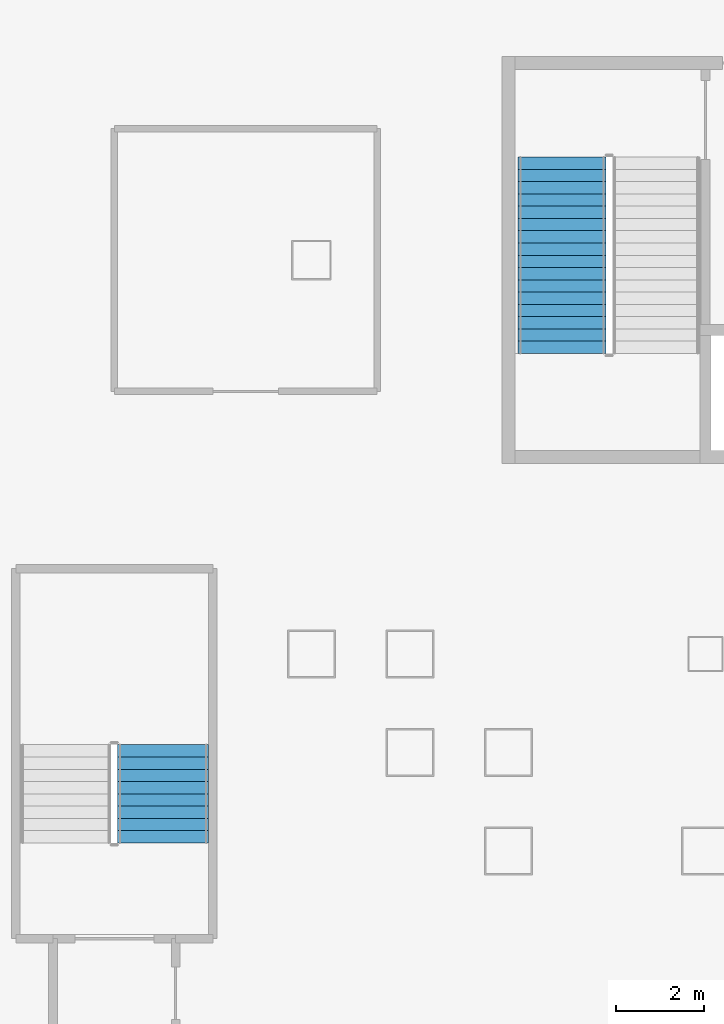
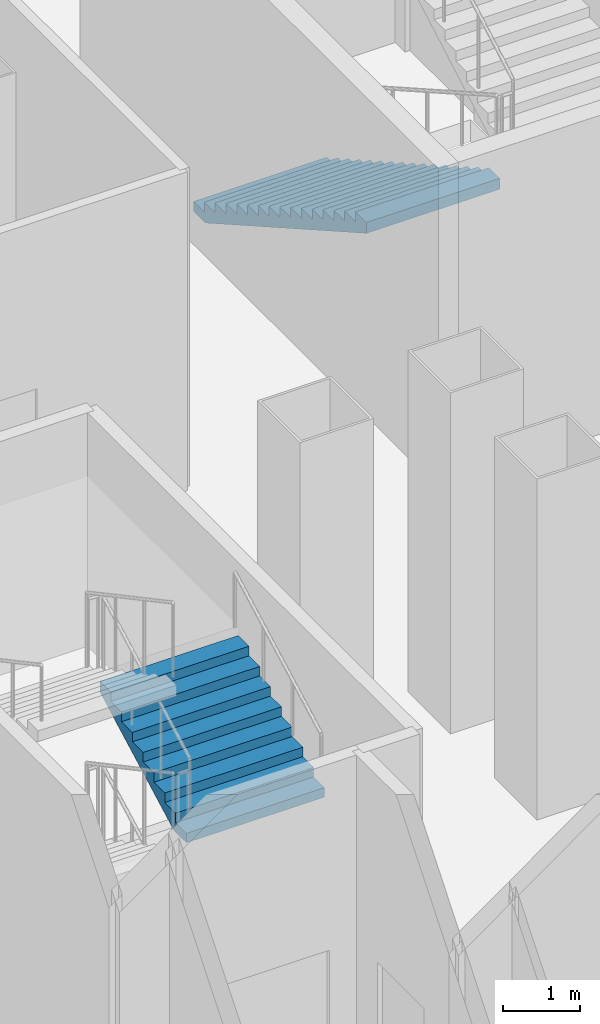
# One storey, part 11 of 27: 2 stair flights, 2 elements without a shape of their own.
"""IFC4 building model written with IfcOpenShell, lengths in metres."""

from ifc_helpers import new_model, si_unit, direction, frame, origin, place, context, subcontext, project, spatial, polygons, material, type_object, element, aggregate, save


model = new_model("IFC4")

# Units and contexts
model_context = context("Model", 3, precision=1e-05, world=origin(), true_north=direction((0.0, 1.0)))
body_context = subcontext(model_context, "Body", "Model", "MODEL_VIEW")
ifc_project = project(units=[si_unit("LENGTHUNIT", "METRE"), si_unit("AREAUNIT", "SQUARE_METRE"), si_unit("VOLUMEUNIT", "CUBIC_METRE"), si_unit("PLANEANGLEUNIT", "RADIAN"), si_unit("MASSUNIT", "GRAM", prefix="KILO")], contexts=[model_context])

# Site, building, storey
site_placement = place(None, origin())
site = spatial("IfcSite", under=ifc_project, at=site_placement, CompositionType="ELEMENT")
building_placement = place(site_placement, origin())
building = spatial("IfcBuilding", under=site, at=building_placement, Name="Caravel Reach Hotel and Residences", CompositionType="ELEMENT")
storey_placement = place(building_placement, frame((0.0, 0.0, 6.60009765625)))
storey = spatial("IfcBuildingStorey", under=building, at=storey_placement, Name="L01", CompositionType="ELEMENT", Elevation=6.60009765625)

# Stair, stair flight
ifc_material_1 = material(Name="Concrete C40", Category="concrete")
stair_type = type_object("IfcStairType", Name="Core stair", PredefinedType="HALF_TURN_STAIR", material=ifc_material_1)
stair_1_placement = place(storey_placement, origin())
stair_1 = element("IfcStair", 1, at=stair_1_placement, inside=storey, type_object=stair_type, Name="L01 Exit stair A", PredefinedType="HALF_TURN_STAIR")
ifc_material_2 = material(Name="Concrete C40", Category="concrete")
stair_flight_type = type_object("IfcStairFlightType", Name="Core stair flight", PredefinedType="STRAIGHT", material=ifc_material_2)
stair_flight_1_placement = place(storey_placement, frame((19.22509765625, 29.35009765625, 0.0), z_axis=(0.0, 0.0, 1.0), x_axis=(0.0, -1.0, 0.0)))
stair_flight_1 = element("IfcStairFlight", 2, at=stair_flight_1_placement, type_object=stair_flight_type, Name="ST-A flight 1", NumberOfRisers=17, NumberOfTreads=16, PredefinedType="STRAIGHT", RiserHeight=0.158823529, TreadLength=0.28, context=body_context, shape_type="Tessellation", body=[
    polygons([(0.30382651472380307, 1.0, 0.0), (0.30382651472380307, 0.6666666666666667, 0.0), (0.30382651472380307, 0.33333333333333337, 0.0), (0.30382651472380307, 0.0, 0.0), (0.30382651472380307, -0.33333333333333326, 0.0), (0.30382651472380307, -0.6666666666666667, 0.0), (0.30382651472380307, -1.0, 0.0), (4.481000000000001, 1.0, 2.3688378951706968), (4.481000000000001, 0.6666666666666667, 2.3688378951706968), (4.481000000000001, 0.33333333333333337, 2.3688378951706968), (4.481000000000001, 0.0, 2.3688378951706968), (4.481000000000001, -0.33333333333333326, 2.3688378951706968), (4.481000000000001, -0.6666666666666667, 2.3688378951706968), (4.481000000000001, -1.0, 2.3688378951706968), (4.481000000000001, 1.0, 2.541176464), (4.481000000000001, 0.6666666666666667, 2.541176464), (4.481000000000001, 0.33333333333333337, 2.541176464), (4.481000000000001, 0.0, 2.541176464), (4.481000000000001, -0.33333333333333326, 2.541176464), (4.481000000000001, -0.6666666666666667, 2.541176464), (4.481000000000001, -1.0, 2.541176464), (4.2, 1.0, 2.541176464), (4.2, 0.6666666666666667, 2.541176464), (4.2, 0.33333333333333337, 2.541176464), (4.2, 0.0, 2.541176464), (4.2, -0.33333333333333326, 2.541176464), (4.2, -0.6666666666666667, 2.541176464), (4.2, -1.0, 2.541176464), (4.2, 1.0, 2.3823529349999997), (4.2, 0.6666666666666667, 2.3823529349999997), (4.2, 0.33333333333333337, 2.3823529349999997), (4.2, 0.0, 2.3823529349999997), (4.2, -0.33333333333333326, 2.3823529349999997), (4.2, -0.6666666666666667, 2.3823529349999997), (4.2, -1.0, 2.3823529349999997), (3.9200000000000004, 1.0, 2.3823529349999997), (3.9200000000000004, 0.6666666666666667, 2.3823529349999997), (3.9200000000000004, 0.33333333333333337, 2.3823529349999997), (3.9200000000000004, 0.0, 2.3823529349999997), (3.9200000000000004, -0.33333333333333326, 2.3823529349999997), (3.9200000000000004, -0.6666666666666667, 2.3823529349999997), (3.9200000000000004, -1.0, 2.3823529349999997), (3.9200000000000004, 1.0, 2.223529406), (3.9200000000000004, 0.6666666666666667, 2.223529406), (3.9200000000000004, 0.33333333333333337, 2.223529406), (3.9200000000000004, 0.0, 2.223529406), (3.9200000000000004, -0.33333333333333326, 2.223529406), (3.9200000000000004, -0.6666666666666667, 2.223529406), (3.9200000000000004, -1.0, 2.223529406), (3.6400000000000006, 1.0, 2.223529406), (3.6400000000000006, 0.6666666666666667, 2.223529406), (3.6400000000000006, 0.33333333333333337, 2.223529406), (3.6400000000000006, 0.0, 2.223529406), (3.6400000000000006, -0.33333333333333326, 2.223529406), (3.6400000000000006, -0.6666666666666667, 2.223529406), (3.6400000000000006, -1.0, 2.223529406), (3.6400000000000006, 1.0, 2.0647058769999997), (3.6400000000000006, 0.6666666666666667, 2.0647058769999997), (3.6400000000000006, 0.33333333333333337, 2.0647058769999997), (3.6400000000000006, 0.0, 2.0647058769999997), (3.6400000000000006, -0.33333333333333326, 2.0647058769999997), (3.6400000000000006, -0.6666666666666667, 2.0647058769999997), (3.6400000000000006, -1.0, 2.0647058769999997), (3.3600000000000003, 1.0, 2.0647058769999997), (3.3600000000000003, 0.6666666666666667, 2.0647058769999997), (3.3600000000000003, 0.33333333333333337, 2.0647058769999997), (3.3600000000000003, 0.0, 2.0647058769999997), (3.3600000000000003, -0.33333333333333326, 2.0647058769999997), (3.3600000000000003, -0.6666666666666667, 2.0647058769999997), (3.3600000000000003, -1.0, 2.0647058769999997), (3.3600000000000003, 1.0, 1.905882348), (3.3600000000000003, 0.6666666666666667, 1.905882348), (3.3600000000000003, 0.33333333333333337, 1.905882348), (3.3600000000000003, 0.0, 1.905882348), (3.3600000000000003, -0.33333333333333326, 1.905882348), (3.3600000000000003, -0.6666666666666667, 1.905882348), (3.3600000000000003, -1.0, 1.905882348), (3.08, 1.0, 1.905882348), (3.08, 0.6666666666666667, 1.905882348), (3.08, 0.33333333333333337, 1.905882348), (3.08, 0.0, 1.905882348), (3.08, -0.33333333333333326, 1.905882348), (3.08, -0.6666666666666667, 1.905882348), (3.08, -1.0, 1.905882348), (3.08, 1.0, 1.7470588189999998), (3.08, 0.6666666666666667, 1.7470588189999998), (3.08, 0.33333333333333337, 1.7470588189999998), (3.08, 0.0, 1.7470588189999998), (3.08, -0.33333333333333326, 1.7470588189999998), (3.08, -0.6666666666666667, 1.7470588189999998), (3.08, -1.0, 1.7470588189999998), (2.8000000000000003, 1.0, 1.7470588189999998), (2.8000000000000003, 0.6666666666666667, 1.7470588189999998), (2.8000000000000003, 0.33333333333333337, 1.7470588189999998), (2.8000000000000003, 0.0, 1.7470588189999998), (2.8000000000000003, -0.33333333333333326, 1.7470588189999998), (2.8000000000000003, -0.6666666666666667, 1.7470588189999998), (2.8000000000000003, -1.0, 1.7470588189999998), (2.8000000000000003, 1.0, 1.5882352899999999), (2.8000000000000003, 0.6666666666666667, 1.5882352899999999), (2.8000000000000003, 0.33333333333333337, 1.5882352899999999), (2.8000000000000003, 0.0, 1.5882352899999999), (2.8000000000000003, -0.33333333333333326, 1.5882352899999999), (2.8000000000000003, -0.6666666666666667, 1.5882352899999999), (2.8000000000000003, -1.0, 1.5882352899999999), (2.5200000000000005, 1.0, 1.5882352899999999), (2.5200000000000005, 0.6666666666666667, 1.5882352899999999), (2.5200000000000005, 0.33333333333333337, 1.5882352899999999), (2.5200000000000005, 0.0, 1.5882352899999999), (2.5200000000000005, -0.33333333333333326, 1.5882352899999999), (2.5200000000000005, -0.6666666666666667, 1.5882352899999999), (2.5200000000000005, -1.0, 1.5882352899999999), (2.5200000000000005, 1.0, 1.429411761), (2.5200000000000005, 0.6666666666666667, 1.429411761), (2.5200000000000005, 0.33333333333333337, 1.429411761), (2.5200000000000005, 0.0, 1.429411761), (2.5200000000000005, -0.33333333333333326, 1.429411761), (2.5200000000000005, -0.6666666666666667, 1.429411761), (2.5200000000000005, -1.0, 1.429411761), (2.24, 1.0, 1.429411761), (2.24, 0.6666666666666667, 1.429411761), (2.24, 0.33333333333333337, 1.429411761), (2.24, 0.0, 1.429411761), (2.24, -0.33333333333333326, 1.429411761), (2.24, -0.6666666666666667, 1.429411761), (2.24, -1.0, 1.429411761), (2.24, 1.0, 1.270588232), (2.24, 0.6666666666666667, 1.270588232), (2.24, 0.33333333333333337, 1.270588232), (2.24, 0.0, 1.270588232), (2.24, -0.33333333333333326, 1.270588232), (2.24, -0.6666666666666667, 1.270588232), (2.24, -1.0, 1.270588232), (1.9600000000000002, 1.0, 1.270588232), (1.9600000000000002, 0.6666666666666667, 1.270588232), (1.9600000000000002, 0.33333333333333337, 1.270588232), (1.9600000000000002, 0.0, 1.270588232), (1.9600000000000002, -0.33333333333333326, 1.270588232), (1.9600000000000002, -0.6666666666666667, 1.270588232), (1.9600000000000002, -1.0, 1.270588232), (1.9600000000000002, 1.0, 1.111764703), (1.9600000000000002, 0.6666666666666667, 1.111764703), (1.9600000000000002, 0.33333333333333337, 1.111764703), (1.9600000000000002, 0.0, 1.111764703), (1.9600000000000002, -0.33333333333333326, 1.111764703), (1.9600000000000002, -0.6666666666666667, 1.111764703), (1.9600000000000002, -1.0, 1.111764703), (1.6800000000000002, 1.0, 1.111764703), (1.6800000000000002, 0.6666666666666667, 1.111764703), (1.6800000000000002, 0.33333333333333337, 1.111764703), (1.6800000000000002, 0.0, 1.111764703), (1.6800000000000002, -0.33333333333333326, 1.111764703), (1.6800000000000002, -0.6666666666666667, 1.111764703), (1.6800000000000002, -1.0, 1.111764703), (1.6800000000000002, 1.0, 0.952941174), (1.6800000000000002, 0.6666666666666667, 0.952941174), (1.6800000000000002, 0.33333333333333337, 0.952941174), (1.6800000000000002, 0.0, 0.952941174), (1.6800000000000002, -0.33333333333333326, 0.952941174), (1.6800000000000002, -0.6666666666666667, 0.952941174), (1.6800000000000002, -1.0, 0.952941174), (1.4000000000000001, 1.0, 0.952941174), (1.4000000000000001, 0.6666666666666667, 0.952941174), (1.4000000000000001, 0.33333333333333337, 0.952941174), (1.4000000000000001, 0.0, 0.952941174), (1.4000000000000001, -0.33333333333333326, 0.952941174), (1.4000000000000001, -0.6666666666666667, 0.952941174), (1.4000000000000001, -1.0, 0.952941174), (1.4000000000000001, 1.0, 0.7941176449999999), (1.4000000000000001, 0.6666666666666667, 0.7941176449999999), (1.4000000000000001, 0.33333333333333337, 0.7941176449999999), (1.4000000000000001, 0.0, 0.7941176449999999), (1.4000000000000001, -0.33333333333333326, 0.7941176449999999), (1.4000000000000001, -0.6666666666666667, 0.7941176449999999), (1.4000000000000001, -1.0, 0.7941176449999999), (1.12, 1.0, 0.7941176449999999), (1.12, 0.6666666666666667, 0.7941176449999999), (1.12, 0.33333333333333337, 0.7941176449999999), (1.12, 0.0, 0.7941176449999999), (1.12, -0.33333333333333326, 0.7941176449999999), (1.12, -0.6666666666666667, 0.7941176449999999), (1.12, -1.0, 0.7941176449999999), (1.12, 1.0, 0.635294116), (1.12, 0.6666666666666667, 0.635294116), (1.12, 0.33333333333333337, 0.635294116), (1.12, 0.0, 0.635294116), (1.12, -0.33333333333333326, 0.635294116), (1.12, -0.6666666666666667, 0.635294116), (1.12, -1.0, 0.635294116), (0.8400000000000001, 1.0, 0.635294116), (0.8400000000000001, 0.6666666666666667, 0.635294116), (0.8400000000000001, 0.33333333333333337, 0.635294116), (0.8400000000000001, 0.0, 0.635294116), (0.8400000000000001, -0.33333333333333326, 0.635294116), (0.8400000000000001, -0.6666666666666667, 0.635294116), (0.8400000000000001, -1.0, 0.635294116), (0.8400000000000001, 1.0, 0.476470587), (0.8400000000000001, 0.6666666666666667, 0.476470587), (0.8400000000000001, 0.33333333333333337, 0.476470587), (0.8400000000000001, 0.0, 0.476470587), (0.8400000000000001, -0.33333333333333326, 0.476470587), (0.8400000000000001, -0.6666666666666667, 0.476470587), (0.8400000000000001, -1.0, 0.476470587), (0.56, 1.0, 0.476470587), (0.56, 0.6666666666666667, 0.476470587), (0.56, 0.33333333333333337, 0.476470587), (0.56, 0.0, 0.476470587), (0.56, -0.33333333333333326, 0.476470587), (0.56, -0.6666666666666667, 0.476470587), (0.56, -1.0, 0.476470587), (0.56, 1.0, 0.317647058), (0.56, 0.6666666666666667, 0.317647058), (0.56, 0.33333333333333337, 0.317647058), (0.56, 0.0, 0.317647058), (0.56, -0.33333333333333326, 0.317647058), (0.56, -0.6666666666666667, 0.317647058), (0.56, -1.0, 0.317647058), (0.28, 1.0, 0.317647058), (0.28, 0.6666666666666667, 0.317647058), (0.28, 0.33333333333333337, 0.317647058), (0.28, 0.0, 0.317647058), (0.28, -0.33333333333333326, 0.317647058), (0.28, -0.6666666666666667, 0.317647058), (0.28, -1.0, 0.317647058), (0.28, 1.0, 0.158823529), (0.28, 0.6666666666666667, 0.158823529), (0.28, 0.33333333333333337, 0.158823529), (0.28, 0.0, 0.158823529), (0.28, -0.33333333333333326, 0.158823529), (0.28, -0.6666666666666667, 0.158823529), (0.28, -1.0, 0.158823529), (-0.001, 1.0, 0.158823529), (-0.001, 0.6666666666666667, 0.158823529), (-0.001, 0.33333333333333337, 0.158823529), (-0.001, 0.0, 0.158823529), (-0.001, -0.33333333333333326, 0.158823529), (-0.001, -0.6666666666666667, 0.158823529), (-0.001, -1.0, 0.158823529), (-0.001, 1.0, 0.0), (-0.001, 0.6666666666666667, 0.0), (-0.001, 0.33333333333333337, 0.0), (-0.001, 0.0, 0.0), (-0.001, -0.33333333333333326, 0.0), (-0.001, -0.6666666666666667, 0.0), (-0.001, -1.0, 0.0)], [[[239, 232, 225, 218, 211, 204, 197, 190, 183, 176, 169, 162, 155, 148, 141, 134, 127, 120, 113, 106, 99, 92, 85, 78, 71, 64, 57, 50, 43, 36, 29, 22, 15, 8, 1]], [[7, 14, 21, 28, 35, 42, 49, 56, 63, 70, 77, 84, 91, 98, 105, 112, 119, 126, 133, 140, 147, 154, 161, 168, 175, 182, 189, 196, 203, 210, 217, 224, 231, 238, 245]], [[1, 8, 9, 2]], [[2, 9, 10, 3]], [[3, 10, 11, 4]], [[4, 11, 12, 5]], [[5, 12, 13, 6]], [[6, 13, 14, 7]], [[8, 15, 16, 9]], [[9, 16, 17, 10]], [[10, 17, 18, 11]], [[11, 18, 19, 12]], [[12, 19, 20, 13]], [[13, 20, 21, 14]], [[15, 22, 23, 16]], [[16, 23, 24, 17]], [[17, 24, 25, 18]], [[18, 25, 26, 19]], [[19, 26, 27, 20]], [[20, 27, 28, 21]], [[22, 29, 30, 23]], [[23, 30, 31, 24]], [[24, 31, 32, 25]], [[25, 32, 33, 26]], [[26, 33, 34, 27]], [[27, 34, 35, 28]], [[29, 36, 37, 30]], [[30, 37, 38, 31]], [[31, 38, 39, 32]], [[32, 39, 40, 33]], [[33, 40, 41, 34]], [[34, 41, 42, 35]], [[36, 43, 44, 37]], [[37, 44, 45, 38]], [[38, 45, 46, 39]], [[39, 46, 47, 40]], [[40, 47, 48, 41]], [[41, 48, 49, 42]], [[43, 50, 51, 44]], [[44, 51, 52, 45]], [[45, 52, 53, 46]], [[46, 53, 54, 47]], [[47, 54, 55, 48]], [[48, 55, 56, 49]], [[50, 57, 58, 51]], [[51, 58, 59, 52]], [[52, 59, 60, 53]], [[53, 60, 61, 54]], [[54, 61, 62, 55]], [[55, 62, 63, 56]], [[57, 64, 65, 58]], [[58, 65, 66, 59]], [[59, 66, 67, 60]], [[60, 67, 68, 61]], [[61, 68, 69, 62]], [[62, 69, 70, 63]], [[64, 71, 72, 65]], [[65, 72, 73, 66]], [[66, 73, 74, 67]], [[67, 74, 75, 68]], [[68, 75, 76, 69]], [[69, 76, 77, 70]], [[71, 78, 79, 72]], [[72, 79, 80, 73]], [[73, 80, 81, 74]], [[74, 81, 82, 75]], [[75, 82, 83, 76]], [[76, 83, 84, 77]], [[78, 85, 86, 79]], [[79, 86, 87, 80]], [[80, 87, 88, 81]], [[81, 88, 89, 82]], [[82, 89, 90, 83]], [[83, 90, 91, 84]], [[85, 92, 93, 86]], [[86, 93, 94, 87]], [[87, 94, 95, 88]], [[88, 95, 96, 89]], [[89, 96, 97, 90]], [[90, 97, 98, 91]], [[92, 99, 100, 93]], [[93, 100, 101, 94]], [[94, 101, 102, 95]], [[95, 102, 103, 96]], [[96, 103, 104, 97]], [[97, 104, 105, 98]], [[99, 106, 107, 100]], [[100, 107, 108, 101]], [[101, 108, 109, 102]], [[102, 109, 110, 103]], [[103, 110, 111, 104]], [[104, 111, 112, 105]], [[106, 113, 114, 107]], [[107, 114, 115, 108]], [[108, 115, 116, 109]], [[109, 116, 117, 110]], [[110, 117, 118, 111]], [[111, 118, 119, 112]], [[113, 120, 121, 114]], [[114, 121, 122, 115]], [[115, 122, 123, 116]], [[116, 123, 124, 117]], [[117, 124, 125, 118]], [[118, 125, 126, 119]], [[120, 127, 128, 121]], [[121, 128, 129, 122]], [[122, 129, 130, 123]], [[123, 130, 131, 124]], [[124, 131, 132, 125]], [[125, 132, 133, 126]], [[127, 134, 135, 128]], [[128, 135, 136, 129]], [[129, 136, 137, 130]], [[130, 137, 138, 131]], [[131, 138, 139, 132]], [[132, 139, 140, 133]], [[134, 141, 142, 135]], [[135, 142, 143, 136]], [[136, 143, 144, 137]], [[137, 144, 145, 138]], [[138, 145, 146, 139]], [[139, 146, 147, 140]], [[141, 148, 149, 142]], [[142, 149, 150, 143]], [[143, 150, 151, 144]], [[144, 151, 152, 145]], [[145, 152, 153, 146]], [[146, 153, 154, 147]], [[148, 155, 156, 149]], [[149, 156, 157, 150]], [[150, 157, 158, 151]], [[151, 158, 159, 152]], [[152, 159, 160, 153]], [[153, 160, 161, 154]], [[155, 162, 163, 156]], [[156, 163, 164, 157]], [[157, 164, 165, 158]], [[158, 165, 166, 159]], [[159, 166, 167, 160]], [[160, 167, 168, 161]], [[162, 169, 170, 163]], [[163, 170, 171, 164]], [[164, 171, 172, 165]], [[165, 172, 173, 166]], [[166, 173, 174, 167]], [[167, 174, 175, 168]], [[169, 176, 177, 170]], [[170, 177, 178, 171]], [[171, 178, 179, 172]], [[172, 179, 180, 173]], [[173, 180, 181, 174]], [[174, 181, 182, 175]], [[176, 183, 184, 177]], [[177, 184, 185, 178]], [[178, 185, 186, 179]], [[179, 186, 187, 180]], [[180, 187, 188, 181]], [[181, 188, 189, 182]], [[183, 190, 191, 184]], [[184, 191, 192, 185]], [[185, 192, 193, 186]], [[186, 193, 194, 187]], [[187, 194, 195, 188]], [[188, 195, 196, 189]], [[190, 197, 198, 191]], [[191, 198, 199, 192]], [[192, 199, 200, 193]], [[193, 200, 201, 194]], [[194, 201, 202, 195]], [[195, 202, 203, 196]], [[197, 204, 205, 198]], [[198, 205, 206, 199]], [[199, 206, 207, 200]], [[200, 207, 208, 201]], [[201, 208, 209, 202]], [[202, 209, 210, 203]], [[204, 211, 212, 205]], [[205, 212, 213, 206]], [[206, 213, 214, 207]], [[207, 214, 215, 208]], [[208, 215, 216, 209]], [[209, 216, 217, 210]], [[211, 218, 219, 212]], [[212, 219, 220, 213]], [[213, 220, 221, 214]], [[214, 221, 222, 215]], [[215, 222, 223, 216]], [[216, 223, 224, 217]], [[218, 225, 226, 219]], [[219, 226, 227, 220]], [[220, 227, 228, 221]], [[221, 228, 229, 222]], [[222, 229, 230, 223]], [[223, 230, 231, 224]], [[225, 232, 233, 226]], [[226, 233, 234, 227]], [[227, 234, 235, 228]], [[228, 235, 236, 229]], [[229, 236, 237, 230]], [[230, 237, 238, 231]], [[232, 239, 240, 233]], [[233, 240, 241, 234]], [[234, 241, 242, 235]], [[235, 242, 243, 236]], [[236, 243, 244, 237]], [[237, 244, 245, 238]], [[239, 1, 2, 240]], [[240, 2, 3, 241]], [[241, 3, 4, 242]], [[242, 4, 5, 243]], [[243, 5, 6, 244]], [[244, 6, 7, 245]]], closed=True),
])
aggregate(stair_1, [stair_flight_1])

stair_2_placement = place(storey_placement, origin())
stair_2 = element("IfcStair", 3, at=stair_2_placement, inside=storey, type_object=stair_type, Name="L01 Exit stair P3", PredefinedType="HALF_TURN_STAIR")
stair_flight_2_placement = place(storey_placement, frame((10.110107421875, 13.68994140625, 2.699951171875), z_axis=(0.0, 0.0, 1.0), x_axis=(0.0, 1.0, 0.0)))
stair_flight_2 = element("IfcStairFlight", 4, at=stair_flight_2_placement, type_object=stair_flight_type, Name="ST-P3 flight 3", NumberOfRisers=9, NumberOfTreads=8, PredefinedType="STRAIGHT", RiserHeight=0.15, TreadLength=0.28, context=body_context, shape_type="Tessellation", body=[
    polygons([(0.3174408016601864, 1.0350341796875, 0.0), (0.3174408016601864, 0.6900227864583333, 0.0), (0.3174408016601864, 0.34501139322916663, 0.0), (0.3174408016601864, 0.0, 0.0), (0.3174408016601864, -0.34501139322916674, 0.0), (0.3174408016601864, -0.6900227864583333, 0.0), (0.3174408016601864, -1.0350341796875, 0.0), (2.241, 1.0350341796875, 1.029942427682043), (2.241, 0.6900227864583333, 1.029942427682043), (2.241, 0.34501139322916663, 1.029942427682043), (2.241, 0.0, 1.029942427682043), (2.241, -0.34501139322916674, 1.029942427682043), (2.241, -0.6900227864583333, 1.029942427682043), (2.241, -1.0350341796875, 1.029942427682043), (2.241, 1.0350341796875, 1.2), (2.241, 0.6900227864583333, 1.2), (2.241, 0.34501139322916663, 1.2), (2.241, 0.0, 1.2), (2.241, -0.34501139322916674, 1.2), (2.241, -0.6900227864583333, 1.2), (2.241, -1.0350341796875, 1.2), (1.9600000000000002, 1.0350341796875, 1.2), (1.9600000000000002, 0.6900227864583333, 1.2), (1.9600000000000002, 0.34501139322916663, 1.2), (1.9600000000000002, 0.0, 1.2), (1.9600000000000002, -0.34501139322916674, 1.2), (1.9600000000000002, -0.6900227864583333, 1.2), (1.9600000000000002, -1.0350341796875, 1.2), (1.9600000000000002, 1.0350341796875, 1.05), (1.9600000000000002, 0.6900227864583333, 1.05), (1.9600000000000002, 0.34501139322916663, 1.05), (1.9600000000000002, 0.0, 1.05), (1.9600000000000002, -0.34501139322916674, 1.05), (1.9600000000000002, -0.6900227864583333, 1.05), (1.9600000000000002, -1.0350341796875, 1.05), (1.6800000000000002, 1.0350341796875, 1.05), (1.6800000000000002, 0.6900227864583333, 1.05), (1.6800000000000002, 0.34501139322916663, 1.05), (1.6800000000000002, 0.0, 1.05), (1.6800000000000002, -0.34501139322916674, 1.05), (1.6800000000000002, -0.6900227864583333, 1.05), (1.6800000000000002, -1.0350341796875, 1.05), (1.6800000000000002, 1.0350341796875, 0.8999999999999999), (1.6800000000000002, 0.6900227864583333, 0.8999999999999999), (1.6800000000000002, 0.34501139322916663, 0.8999999999999999), (1.6800000000000002, 0.0, 0.8999999999999999), (1.6800000000000002, -0.34501139322916674, 0.8999999999999999), (1.6800000000000002, -0.6900227864583333, 0.8999999999999999), (1.6800000000000002, -1.0350341796875, 0.8999999999999999), (1.4000000000000001, 1.0350341796875, 0.8999999999999999), (1.4000000000000001, 0.6900227864583333, 0.8999999999999999), (1.4000000000000001, 0.34501139322916663, 0.8999999999999999), (1.4000000000000001, 0.0, 0.8999999999999999), (1.4000000000000001, -0.34501139322916674, 0.8999999999999999), (1.4000000000000001, -0.6900227864583333, 0.8999999999999999), (1.4000000000000001, -1.0350341796875, 0.8999999999999999), (1.4000000000000001, 1.0350341796875, 0.75), (1.4000000000000001, 0.6900227864583333, 0.75), (1.4000000000000001, 0.34501139322916663, 0.75), (1.4000000000000001, 0.0, 0.75), (1.4000000000000001, -0.34501139322916674, 0.75), (1.4000000000000001, -0.6900227864583333, 0.75), (1.4000000000000001, -1.0350341796875, 0.75), (1.12, 1.0350341796875, 0.75), (1.12, 0.6900227864583333, 0.75), (1.12, 0.34501139322916663, 0.75), (1.12, 0.0, 0.75), (1.12, -0.34501139322916674, 0.75), (1.12, -0.6900227864583333, 0.75), (1.12, -1.0350341796875, 0.75), (1.12, 1.0350341796875, 0.6), (1.12, 0.6900227864583333, 0.6), (1.12, 0.34501139322916663, 0.6), (1.12, 0.0, 0.6), (1.12, -0.34501139322916674, 0.6), (1.12, -0.6900227864583333, 0.6), (1.12, -1.0350341796875, 0.6), (0.8400000000000001, 1.0350341796875, 0.6), (0.8400000000000001, 0.6900227864583333, 0.6), (0.8400000000000001, 0.34501139322916663, 0.6), (0.8400000000000001, 0.0, 0.6), (0.8400000000000001, -0.34501139322916674, 0.6), (0.8400000000000001, -0.6900227864583333, 0.6), (0.8400000000000001, -1.0350341796875, 0.6), (0.8400000000000001, 1.0350341796875, 0.44999999999999996), (0.8400000000000001, 0.6900227864583333, 0.44999999999999996), (0.8400000000000001, 0.34501139322916663, 0.44999999999999996), (0.8400000000000001, 0.0, 0.44999999999999996), (0.8400000000000001, -0.34501139322916674, 0.44999999999999996), (0.8400000000000001, -0.6900227864583333, 0.44999999999999996), (0.8400000000000001, -1.0350341796875, 0.44999999999999996), (0.56, 1.0350341796875, 0.44999999999999996), (0.56, 0.6900227864583333, 0.44999999999999996), (0.56, 0.34501139322916663, 0.44999999999999996), (0.56, 0.0, 0.44999999999999996), (0.56, -0.34501139322916674, 0.44999999999999996), (0.56, -0.6900227864583333, 0.44999999999999996), (0.56, -1.0350341796875, 0.44999999999999996), (0.56, 1.0350341796875, 0.3), (0.56, 0.6900227864583333, 0.3), (0.56, 0.34501139322916663, 0.3), (0.56, 0.0, 0.3), (0.56, -0.34501139322916674, 0.3), (0.56, -0.6900227864583333, 0.3), (0.56, -1.0350341796875, 0.3), (0.28, 1.0350341796875, 0.3), (0.28, 0.6900227864583333, 0.3), (0.28, 0.34501139322916663, 0.3), (0.28, 0.0, 0.3), (0.28, -0.34501139322916674, 0.3), (0.28, -0.6900227864583333, 0.3), (0.28, -1.0350341796875, 0.3), (0.28, 1.0350341796875, 0.15), (0.28, 0.6900227864583333, 0.15), (0.28, 0.34501139322916663, 0.15), (0.28, 0.0, 0.15), (0.28, -0.34501139322916674, 0.15), (0.28, -0.6900227864583333, 0.15), (0.28, -1.0350341796875, 0.15), (-0.001, 1.0350341796875, 0.15), (-0.001, 0.6900227864583333, 0.15), (-0.001, 0.34501139322916663, 0.15), (-0.001, 0.0, 0.15), (-0.001, -0.34501139322916674, 0.15), (-0.001, -0.6900227864583333, 0.15), (-0.001, -1.0350341796875, 0.15), (-0.001, 1.0350341796875, 0.0), (-0.001, 0.6900227864583333, 0.0), (-0.001, 0.34501139322916663, 0.0), (-0.001, 0.0, 0.0), (-0.001, -0.34501139322916674, 0.0), (-0.001, -0.6900227864583333, 0.0), (-0.001, -1.0350341796875, 0.0)], [[[127, 120, 113, 106, 99, 92, 85, 78, 71, 64, 57, 50, 43, 36, 29, 22, 15, 8, 1]], [[7, 14, 21, 28, 35, 42, 49, 56, 63, 70, 77, 84, 91, 98, 105, 112, 119, 126, 133]], [[1, 8, 9, 2]], [[2, 9, 10, 3]], [[3, 10, 11, 4]], [[4, 11, 12, 5]], [[5, 12, 13, 6]], [[6, 13, 14, 7]], [[8, 15, 16, 9]], [[9, 16, 17, 10]], [[10, 17, 18, 11]], [[11, 18, 19, 12]], [[12, 19, 20, 13]], [[13, 20, 21, 14]], [[15, 22, 23, 16]], [[16, 23, 24, 17]], [[17, 24, 25, 18]], [[18, 25, 26, 19]], [[19, 26, 27, 20]], [[20, 27, 28, 21]], [[22, 29, 30, 23]], [[23, 30, 31, 24]], [[24, 31, 32, 25]], [[25, 32, 33, 26]], [[26, 33, 34, 27]], [[27, 34, 35, 28]], [[29, 36, 37, 30]], [[30, 37, 38, 31]], [[31, 38, 39, 32]], [[32, 39, 40, 33]], [[33, 40, 41, 34]], [[34, 41, 42, 35]], [[36, 43, 44, 37]], [[37, 44, 45, 38]], [[38, 45, 46, 39]], [[39, 46, 47, 40]], [[40, 47, 48, 41]], [[41, 48, 49, 42]], [[43, 50, 51, 44]], [[44, 51, 52, 45]], [[45, 52, 53, 46]], [[46, 53, 54, 47]], [[47, 54, 55, 48]], [[48, 55, 56, 49]], [[50, 57, 58, 51]], [[51, 58, 59, 52]], [[52, 59, 60, 53]], [[53, 60, 61, 54]], [[54, 61, 62, 55]], [[55, 62, 63, 56]], [[57, 64, 65, 58]], [[58, 65, 66, 59]], [[59, 66, 67, 60]], [[60, 67, 68, 61]], [[61, 68, 69, 62]], [[62, 69, 70, 63]], [[64, 71, 72, 65]], [[65, 72, 73, 66]], [[66, 73, 74, 67]], [[67, 74, 75, 68]], [[68, 75, 76, 69]], [[69, 76, 77, 70]], [[71, 78, 79, 72]], [[72, 79, 80, 73]], [[73, 80, 81, 74]], [[74, 81, 82, 75]], [[75, 82, 83, 76]], [[76, 83, 84, 77]], [[78, 85, 86, 79]], [[79, 86, 87, 80]], [[80, 87, 88, 81]], [[81, 88, 89, 82]], [[82, 89, 90, 83]], [[83, 90, 91, 84]], [[85, 92, 93, 86]], [[86, 93, 94, 87]], [[87, 94, 95, 88]], [[88, 95, 96, 89]], [[89, 96, 97, 90]], [[90, 97, 98, 91]], [[92, 99, 100, 93]], [[93, 100, 101, 94]], [[94, 101, 102, 95]], [[95, 102, 103, 96]], [[96, 103, 104, 97]], [[97, 104, 105, 98]], [[99, 106, 107, 100]], [[100, 107, 108, 101]], [[101, 108, 109, 102]], [[102, 109, 110, 103]], [[103, 110, 111, 104]], [[104, 111, 112, 105]], [[106, 113, 114, 107]], [[107, 114, 115, 108]], [[108, 115, 116, 109]], [[109, 116, 117, 110]], [[110, 117, 118, 111]], [[111, 118, 119, 112]], [[113, 120, 121, 114]], [[114, 121, 122, 115]], [[115, 122, 123, 116]], [[116, 123, 124, 117]], [[117, 124, 125, 118]], [[118, 125, 126, 119]], [[120, 127, 128, 121]], [[121, 128, 129, 122]], [[122, 129, 130, 123]], [[123, 130, 131, 124]], [[124, 131, 132, 125]], [[125, 132, 133, 126]], [[127, 1, 2, 128]], [[128, 2, 3, 129]], [[129, 3, 4, 130]], [[130, 4, 5, 131]], [[131, 5, 6, 132]], [[132, 6, 7, 133]]], closed=True),
])
aggregate(stair_2, [stair_flight_2])

save(model, "model.ifc")
